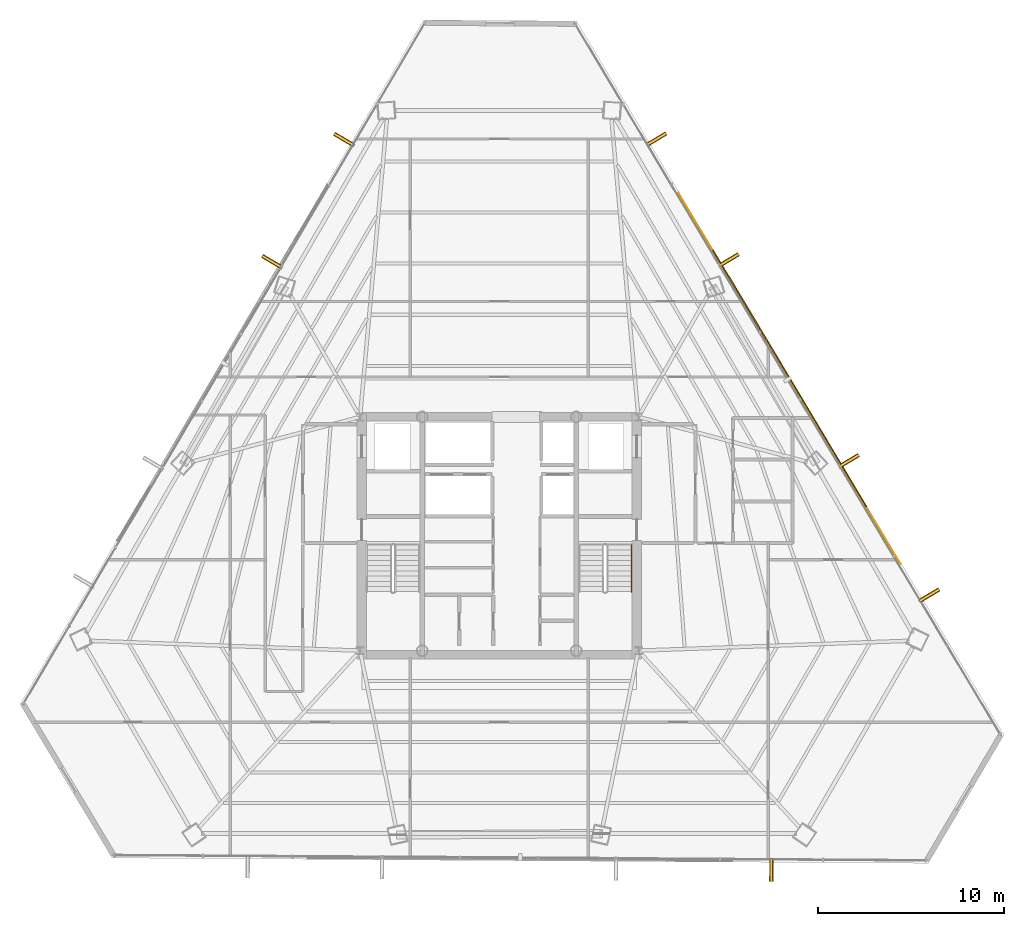
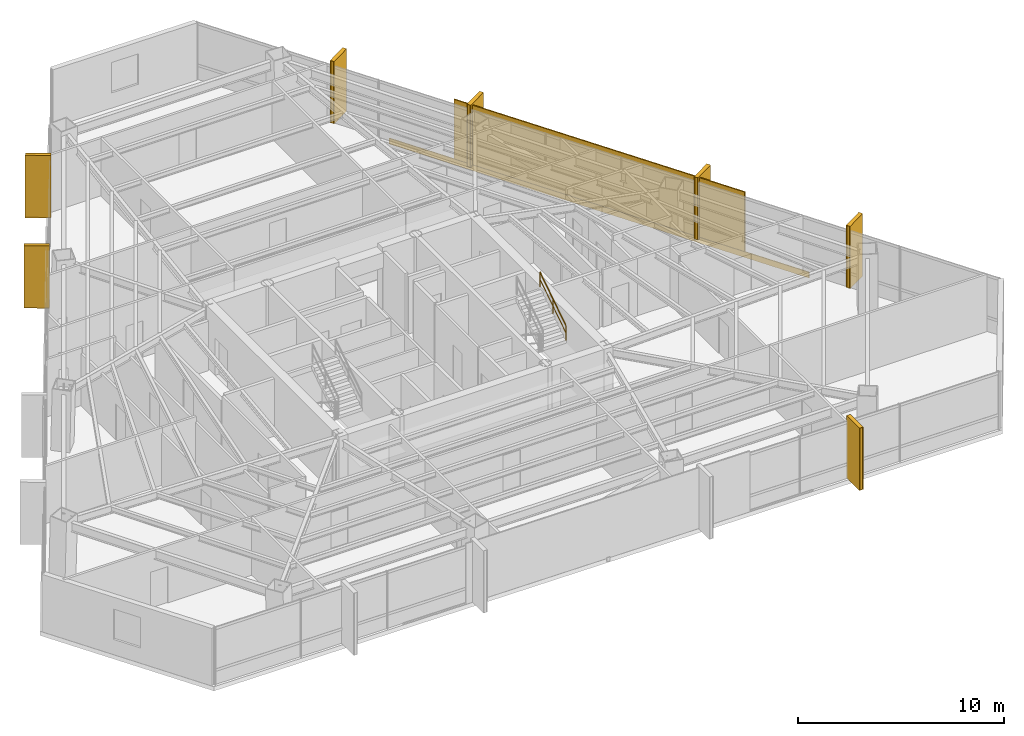
# One storey, part 41 of 41: 8 coverings, 8 shading devices, 1 railing.
"""IFC4 building model written with IfcOpenShell, lengths in metres."""

from ifc_helpers import new_model, si_unit, direction, frame, origin, origin_2d, place, context, subcontext, project, spatial, rectangle, extrude, source, transform, mapped, material, layer, layer_set, type_object, type_shapes, element, save


model = new_model("IFC4")

# Units and contexts
model_context = context("Model", 3, precision=1e-05, world=origin(), true_north=direction((0.0, 1.0)))
body_context = subcontext(model_context, "Body", "Model", "MODEL_VIEW")
ifc_project = project(units=[si_unit("LENGTHUNIT", "METRE"), si_unit("AREAUNIT", "SQUARE_METRE"), si_unit("VOLUMEUNIT", "CUBIC_METRE"), si_unit("PLANEANGLEUNIT", "RADIAN"), si_unit("MASSUNIT", "GRAM", prefix="KILO")], contexts=[model_context])

# Site, building, storey
site_placement = place(None, origin())
site = spatial("IfcSite", under=ifc_project, at=site_placement, CompositionType="ELEMENT")
building_placement = place(site_placement, origin())
building = spatial("IfcBuilding", under=site, at=building_placement, Name="Caelisora Broadcast Tower", CompositionType="ELEMENT")
storey_placement = place(building_placement, frame((0.0, 0.0, 162.14990234375)))
storey = spatial("IfcBuildingStorey", under=building, at=storey_placement, Name="L42", CompositionType="ELEMENT", Elevation=162.14990234375)

# Railing
ifc_material_1 = material(Name="Stainless Steel Grade 316 Tubular Handrail", Category="steel")
ifc_layer_1 = layer(ifc_material_1, 0.048095703125, Name="Stainless Steel Grade 316 Tubular Handrail")
ifc_layer_set_1 = layer_set([ifc_layer_1], Name="Stainless Steel Grade 316 Tubular Handrail")
railing_type = type_object("IfcRailingType", Name="HR-1", PredefinedType="HANDRAIL", material=ifc_layer_set_1)
railing_placement = place(storey_placement, frame((45.1298828125, 20.580078125, 2.007568359375)))
element("IfcRailing", 1, at=railing_placement, inside=storey, type_object=railing_type, Name="L42 ST-2 stair handrail 2", PredefinedType="HANDRAIL", context=body_context, shape_type="SweptSolid", body=[
    extrude(rectangle(XDim=0.048095703125, YDim=0.048095703125, at=origin_2d()), frame((0.0, 0.0, 0.8759765625), z_axis=(0.0, 0.837749427056, 0.546054848405), x_axis=(-1.0, 0.0, 0.0)), (0.0, 0.0, 1.0), 3.008056640625),
    extrude(rectangle(XDim=0.03125, YDim=0.03125, at=origin_2d()), frame((0.0, 0.0, 0.449951171875), z_axis=(0.0, 0.837749427056, 0.546054848405), x_axis=(-1.0, 0.0, 0.0)), (0.0, 0.0, 1.0), 3.008056640625),
    extrude(rectangle(XDim=0.0419921875, YDim=0.0419921875, at=origin_2d()), origin(), (0.0, 0.0, 1.0), 0.851806640625),
    extrude(rectangle(XDim=0.0419921875, YDim=0.0419921875, at=origin_2d()), frame((0.0, 1.260009765625, 0.8212890625)), (0.0, 0.0, 1.0), 0.851806640625),
    extrude(rectangle(XDim=0.0419921875, YDim=0.0419921875, at=origin_2d()), frame((0.0, 2.52001953125, 1.642578125)), (0.0, 0.0, 1.0), 0.851806640625),
])

# Coverings
ifc_material_2 = material(Name="Kiln-Fired Terracotta Spandrel Rainscreen Cladding", Category="ceramic")
ifc_layer_2 = layer(ifc_material_2, 0.044921875, Name="Kiln-Fired Terracotta Spandrel Rainscreen Cladding")
ifc_layer_set_2 = layer_set([ifc_layer_2], Name="Kiln-Fired Terracotta Spandrel Rainscreen Cladding")
covering_type = type_object("IfcCoveringType", Name="CL-1", PredefinedType="CLADDING", material=ifc_layer_set_2)
shared_shape_1 = source(origin(), body_context, "Body", "SweptSolid", [
    extrude(rectangle(XDim=0.219970703125, YDim=1.25, at=origin_2d()), origin(), (0.0, 0.0, 1.0), 3.68994140625),
])
for number, where, z_axis, x_axis, name in (
    (2, (46.468505859375, 44.96240234375, -0.019775390625), (0.0, 0.0, 1.0), (0.513541252058, -0.858064905724, 0.0), "L42 vertical solar fin cladding #1-1"),
    (3, (50.367431640625, 38.447998046875, -0.019775390625), (0.0, 0.0, 1.0), (0.513541252058, -0.858064905724, 0.0), "L42 vertical solar fin cladding #1-2"),
    (4, (56.844482421875, 27.626708984375, -0.019775390625), (0.0, 0.0, 1.0), (0.513541252058, -0.858064905724, 0.0), "L42 vertical solar fin cladding #1-3"),
    (5, (61.178955078125, 20.384521484375, -0.019775390625), (0.0, 0.0, 1.0), (0.513541252058, -0.858064905724, 0.0), "L42 vertical solar fin cladding #1-4"),
    (6, (52.66650390625, 5.58251953125, -0.019775390625), (0.0, 0.0, 1.0), (-0.99997914901, 0.006457673349, 0.0), "L42 vertical solar fin cladding #2-1"),
    (7, (25.76025390625, 38.362060546875, -0.019775390625), (0.0, 0.0, 1.0), (0.507989441341, 0.861363295878, 0.0), "L42 vertical solar fin cladding #3-3"),
    (8, (29.641357421875, 44.94384765625, -0.019775390625), (0.0, 0.0, 1.0), (0.507989441341, 0.861363295878, 0.0), "L42 vertical solar fin cladding #3-4"),
):
    element("IfcCovering", number, at=place(storey_placement, frame(where, z_axis=z_axis, x_axis=x_axis)), inside=storey, type_object=covering_type, Name=name, PredefinedType="CLADDING", context=body_context, shape_type="MappedRepresentation", body=[
        mapped(shared_shape_1, transform((0.0, 0.0, 0.0), scale=1.0)),
    ])

# Shading devices
ifc_material_3 = material(Name="Extruded Terracotta Flaring Colonnade Fin", Category="ceramic")
ifc_layer_3 = layer(ifc_material_3, 0.139892578125, Name="Extruded Terracotta Flaring Colonnade Fin")
ifc_layer_set_3 = layer_set([ifc_layer_3], Name="Extruded Terracotta Flaring Colonnade Fin")
shading_device_type_1 = type_object("IfcShadingDeviceType", Name="FN-1", PredefinedType="USERDEFINED", material=ifc_layer_set_3)
shared_shape_2 = source(origin(), body_context, "Body", "SweptSolid", [
    extrude(rectangle(XDim=0.139892578125, YDim=1.25, at=origin_2d()), origin(), (0.0, 0.0, 1.0), 3.669921875),
])
type_shapes(shading_device_type_1, [shared_shape_2])
for number, where, z_axis, x_axis, name in (
    (9, (46.468505859375, 44.96240234375, -0.009765625), (0.0, 0.0, 1.0), (0.513541252058, -0.858064905724, 0.0), "L42 vertical terracotta fin #1-1"),
    (10, (50.367431640625, 38.447998046875, -0.009765625), (0.0, 0.0, 1.0), (0.513541252058, -0.858064905724, 0.0), "L42 vertical terracotta fin #1-2"),
    (11, (56.844482421875, 27.626708984375, -0.009765625), (0.0, 0.0, 1.0), (0.513541252058, -0.858064905724, 0.0), "L42 vertical terracotta fin #1-3"),
    (12, (61.178955078125, 20.384521484375, -0.009765625), (0.0, 0.0, 1.0), (0.513541252058, -0.858064905724, 0.0), "L42 vertical terracotta fin #1-4"),
    (13, (52.66650390625, 5.58251953125, -0.009765625), (0.0, 0.0, 1.0), (-0.99997914901, 0.006457673349, 0.0), "L42 vertical terracotta fin #2-1"),
    (14, (25.76025390625, 38.362060546875, -0.009765625), (0.0, 0.0, 1.0), (0.507989441341, 0.861363295878, 0.0), "L42 vertical terracotta fin #3-3"),
    (15, (29.641357421875, 44.94384765625, -0.009765625), (0.0, 0.0, 1.0), (0.507989441341, 0.861363295878, 0.0), "L42 vertical terracotta fin #3-4"),
):
    element("IfcShadingDevice", number, at=place(storey_placement, frame(where, z_axis=z_axis, x_axis=x_axis)), inside=storey, type_object=shading_device_type_1, Name=name, ObjectType="FIN", PredefinedType="USERDEFINED", context=body_context, shape_type="MappedRepresentation", body=[
        mapped(shared_shape_2, transform((0.0, 0.0, 0.0), scale=1.0)),
    ])
ifc_material_4 = material(Name="Perforated Glazed Terracotta Baguette Solar Screen", Category="ceramic")
ifc_layer_4 = layer(ifc_material_4, 0.06494140625, Name="Perforated Glazed Terracotta Baguette Solar Screen")
ifc_layer_set_4 = layer_set([ifc_layer_4], Name="Perforated Glazed Terracotta Baguette Solar Screen")
shading_device_type_2 = type_object("IfcShadingDeviceType", Name="SS-1", PredefinedType="USERDEFINED", material=ifc_layer_set_4)
shared_shape_3 = source(origin(), body_context, "Body", "SweptSolid", [
    extrude(rectangle(XDim=16.14501953125, YDim=0.06494140625, at=origin_2d()), origin(), (0.0, 0.0, 1.0), 3.590087890625),
])
type_shapes(shading_device_type_2, [shared_shape_3])
shading_device_placement = place(storey_placement, frame((53.65625, 32.076416015625, 0.0), z_axis=(0.0, 0.0, 1.0), x_axis=(-0.513541252058, 0.858064905724, 0.0)))
element("IfcShadingDevice", 16, at=shading_device_placement, inside=storey, type_object=shading_device_type_2, Name="L42 perforated terracotta solar screen #3", ObjectType="SOLAR SCREEN", PredefinedType="USERDEFINED", context=body_context, shape_type="MappedRepresentation", body=[
    mapped(shared_shape_3, transform((0.0, 0.0, 0.0), scale=1.0)),
])

# Covering
shared_shape_4 = source(origin(), body_context, "Body", "SweptSolid", [
    extrude(rectangle(XDim=23.321044921875, YDim=0.044921875, at=origin_2d()), origin(), (0.0, 0.0, 1.0), 0.340087890625),
])
type_shapes(covering_type, [shared_shape_1, shared_shape_4])
covering_placement = place(storey_placement, frame((53.638916015625, 32.066162109375, -0.27001953125), z_axis=(0.0, 0.0, 1.0), x_axis=(-0.513541252058, 0.858064905724, 0.0)))
element("IfcCovering", 17, at=covering_placement, inside=storey, type_object=covering_type, Name="L42 terracotta spandrel rainscreen #3", PredefinedType="CLADDING", context=body_context, shape_type="MappedRepresentation", body=[
    mapped(shared_shape_4, transform((0.0, 0.0, 0.0), scale=1.0)),
])

save(model, "model.ifc")
